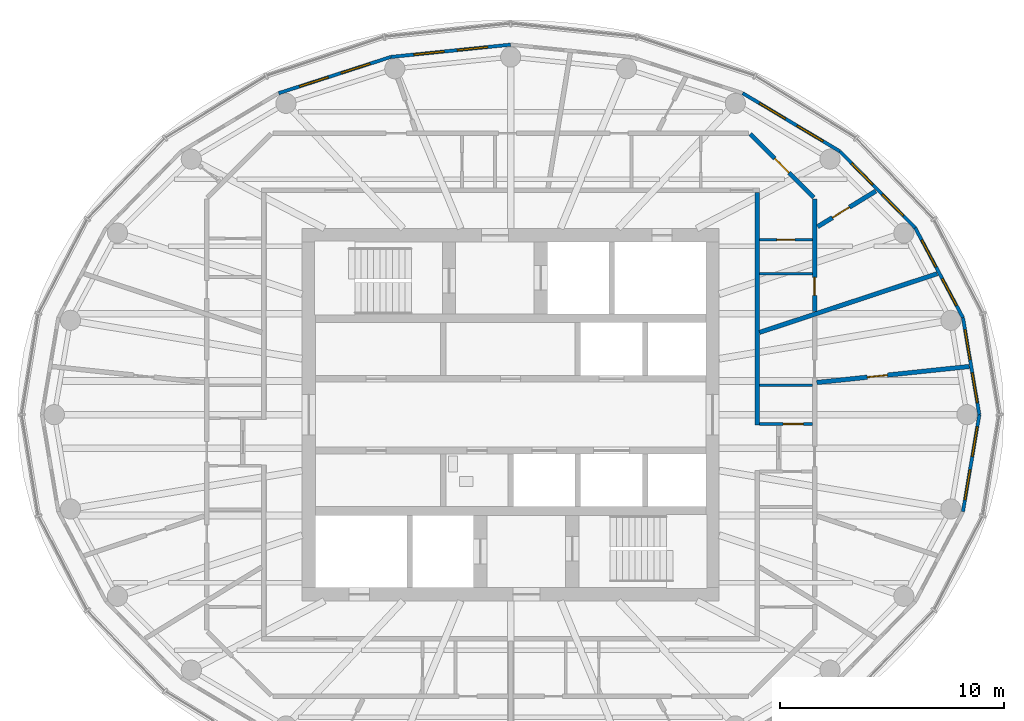
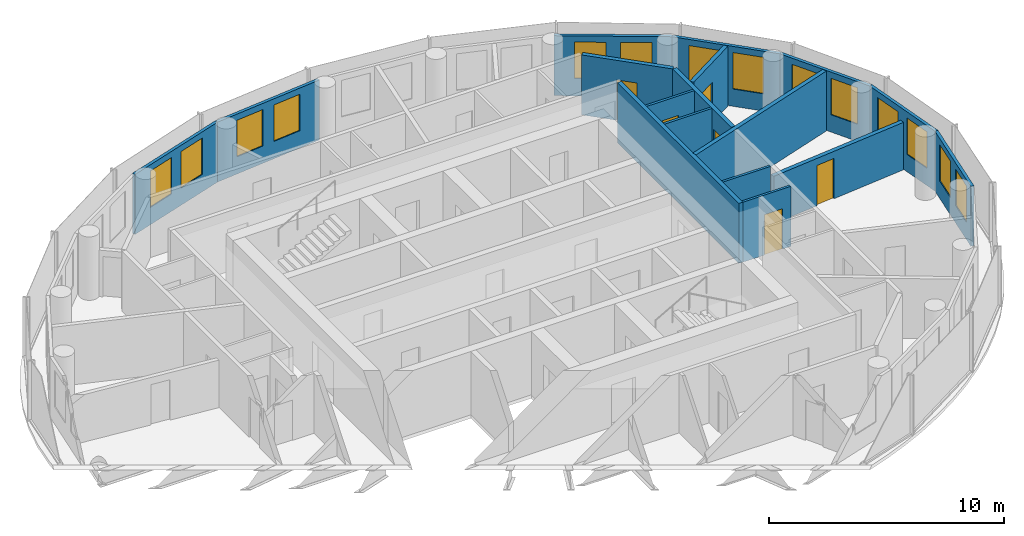
# One storey, part 9 of 12: 17 walls, 14 windows, 6 doors, 20 openings.
"""IFC4 building model written with IfcOpenShell, lengths in metres."""

from ifc_helpers import new_model, si_unit, direction, frame, frame_2d, origin, place, context, subcontext, project, spatial, rectangle, extrude, material, layer, layer_set, type_object, element, fill, save


model = new_model("IFC4")

# Units and contexts
model_context = context("Model", 3, precision=1e-05, world=origin(), true_north=direction((0.0, 1.0)))
body_context = subcontext(model_context, "Body", "Model", "MODEL_VIEW")
ifc_project = project(units=[si_unit("LENGTHUNIT", "METRE"), si_unit("AREAUNIT", "SQUARE_METRE"), si_unit("VOLUMEUNIT", "CUBIC_METRE"), si_unit("PLANEANGLEUNIT", "RADIAN"), si_unit("MASSUNIT", "GRAM", prefix="KILO")], contexts=[model_context])

# Site, building, storey
site_placement = place(None, origin())
site = spatial("IfcSite", under=ifc_project, at=site_placement, CompositionType="ELEMENT")
building_placement = place(site_placement, origin())
building = spatial("IfcBuilding", under=site, at=building_placement, Name="Hankou Lantern Tower", CompositionType="ELEMENT")
storey_placement = place(building_placement, frame((0.0, 0.0, 219.300048828125)))
storey = spatial("IfcBuildingStorey", under=building, at=storey_placement, Name="L59", CompositionType="ELEMENT", Elevation=219.300048828125)

# Wall, openings, windows
ifc_material_1 = material(Name="Aluminium spandrel panel on steel studs", Category="steel")
ifc_layer_1 = layer(ifc_material_1, 0.14990234375)
ifc_layer_set_1 = layer_set([ifc_layer_1], Name="Aluminium spandrel panel on steel studs")
wall_type_1 = type_object("IfcWallType", Name="EW1 INNER SKIN WALL 150", PredefinedType="ELEMENTEDWALL", material=ifc_layer_set_1)
wall_1_placement = place(storey_placement, frame((20.89990234375, 0.0, 0.0), z_axis=(0.0, 0.0, 1.0), x_axis=(-0.166538513568, 0.986034950445, 0.0)))
wall_1 = element("IfcWall", 1, at=wall_1_placement, inside=storey, type_object=wall_type_1, Name="Inner skin R01-R02 L59", PredefinedType="ELEMENTEDWALL", context=body_context, shape_type="SweptSolid", body=[
    extrude(rectangle(XDim=4.384765625, YDim=0.14990234375, at=frame_2d((2.1923828125, 0.0))), origin(), (0.0, 0.0, 1.0), 3.119873046875),
])
opening_1_placement = place(wall_1_placement, frame((0.54248046875, 0.0, 0.89990234375)))
opening_1 = element("IfcOpeningElement", 2, at=opening_1_placement, cuts=wall_1, Name="Opening W4", PredefinedType="OPENING", context=body_context, shape_type="SweptSolid", body=[
    extrude(rectangle(XDim=1.35009765625, YDim=1.89990234375, at=frame_2d((0.675048828125, 0.949951171875))), frame((0.0, 0.0849609375, 0.0), z_axis=(0.0, -1.0, 0.0), x_axis=(1.0, 0.0, 0.0)), (0.0, 0.0, 1.0), 0.169921875),
])
opening_2_placement = place(wall_1_placement, frame((2.492431640625, 0.0, 0.89990234375)))
opening_2 = element("IfcOpeningElement", 3, at=opening_2_placement, cuts=wall_1, Name="Opening W4", PredefinedType="OPENING", context=body_context, shape_type="SweptSolid", body=[
    extrude(rectangle(XDim=1.35009765625, YDim=1.89990234375, at=frame_2d((0.675048828125, 0.949951171875))), frame((0.0, 0.0849609375, 0.0), z_axis=(0.0, -1.0, 0.0), x_axis=(1.0, 0.0, 0.0)), (0.0, 0.0, 1.0), 0.169921875),
])
ifc_material_2 = material(Name="Aluminium framed double glazed window", Category="aluminium")
window_type = type_object("IfcWindowType", Name="W4 SUITE WINDOW 1350X1900", PartitioningType="DOUBLE_PANEL_VERTICAL", PredefinedType="WINDOW", material=ifc_material_2)
window_1_placement = place(opening_1_placement, origin())
window_1 = element("IfcWindow", 4, at=window_1_placement, inside=storey, type_object=window_type, Name="Window R01.1 L59", OverallHeight=1.89990234375, OverallWidth=1.35009765625, PartitioningType="SINGLE_PANEL", PredefinedType="WINDOW", context=body_context, shape_type="SweptSolid", body=[
    extrude(rectangle(XDim=1.35009765625, YDim=1.89990234375, at=frame_2d((0.675048828125, 0.949951171875))), frame((0.0, 0.030029296875, 0.0), z_axis=(0.0, -1.0, 0.0), x_axis=(1.0, 0.0, 0.0)), (0.0, 0.0, 1.0), 0.06005859375),
])
fill(opening_1, window_1)
window_2_placement = place(opening_2_placement, origin())
window_2 = element("IfcWindow", 5, at=window_2_placement, inside=storey, type_object=window_type, Name="Window R01.2 L59", OverallHeight=1.89990234375, OverallWidth=1.35009765625, PartitioningType="SINGLE_PANEL", PredefinedType="WINDOW", context=body_context, shape_type="SweptSolid", body=[
    extrude(rectangle(XDim=1.35009765625, YDim=1.89990234375, at=frame_2d((0.675048828125, 0.949951171875))), frame((0.0, 0.030029296875, 0.0), z_axis=(0.0, -1.0, 0.0), x_axis=(1.0, 0.0, 0.0)), (0.0, 0.0, 1.0), 0.06005859375),
])
fill(opening_2, window_2)

wall_2_placement = place(storey_placement, frame((20.169677734375, 4.323486328125, 0.0), z_axis=(0.0, 0.0, 1.0), x_axis=(-0.469256152955, 0.883062094597, 0.0)))
wall_2 = element("IfcWall", 6, at=wall_2_placement, inside=storey, type_object=wall_type_1, Name="Inner skin R02-R03 L59", PredefinedType="ELEMENTEDWALL", context=body_context, shape_type="SweptSolid", body=[
    extrude(rectangle(XDim=4.539306640625, YDim=0.14990234375, at=frame_2d((2.26953125, 0.0))), origin(), (0.0, 0.0, 1.0), 3.119873046875),
])
opening_3_placement = place(wall_2_placement, frame((0.61962890625, 0.0, 0.89990234375)))
opening_3 = element("IfcOpeningElement", 7, at=opening_3_placement, cuts=wall_2, Name="Opening W4", PredefinedType="OPENING", context=body_context, shape_type="SweptSolid", body=[
    extrude(rectangle(XDim=1.35009765625, YDim=1.89990234375, at=frame_2d((0.675048828125, 0.949951171875))), frame((0.0, 0.0849609375, 0.0), z_axis=(0.0, -1.0, 0.0), x_axis=(1.0, 0.0, 0.0)), (0.0, 0.0, 1.0), 0.169921875),
])
opening_4_placement = place(wall_2_placement, frame((2.569580078125, 0.0, 0.89990234375)))
opening_4 = element("IfcOpeningElement", 8, at=opening_4_placement, cuts=wall_2, Name="Opening W4", PredefinedType="OPENING", context=body_context, shape_type="SweptSolid", body=[
    extrude(rectangle(XDim=1.35009765625, YDim=1.89990234375, at=frame_2d((0.675048828125, 0.949951171875))), frame((0.0, 0.0849609375, 0.0), z_axis=(0.0, -1.0, 0.0), x_axis=(1.0, 0.0, 0.0)), (0.0, 0.0, 1.0), 0.169921875),
])
window_3_placement = place(opening_3_placement, origin())
window_3 = element("IfcWindow", 9, at=window_3_placement, inside=storey, type_object=window_type, Name="Window R02.1 L59", OverallHeight=1.89990234375, OverallWidth=1.35009765625, PartitioningType="SINGLE_PANEL", PredefinedType="WINDOW", context=body_context, shape_type="SweptSolid", body=[
    extrude(rectangle(XDim=1.35009765625, YDim=1.89990234375, at=frame_2d((0.675048828125, 0.949951171875))), frame((0.0, 0.030029296875, 0.0), z_axis=(0.0, -1.0, 0.0), x_axis=(1.0, 0.0, 0.0)), (0.0, 0.0, 1.0), 0.06005859375),
])
fill(opening_3, window_3)
window_4_placement = place(opening_4_placement, origin())
window_4 = element("IfcWindow", 10, at=window_4_placement, inside=storey, type_object=window_type, Name="Window R02.2 L59", OverallHeight=1.89990234375, OverallWidth=1.35009765625, PartitioningType="SINGLE_PANEL", PredefinedType="WINDOW", context=body_context, shape_type="SweptSolid", body=[
    extrude(rectangle(XDim=1.35009765625, YDim=1.89990234375, at=frame_2d((0.675048828125, 0.949951171875))), frame((0.0, 0.030029296875, 0.0), z_axis=(0.0, -1.0, 0.0), x_axis=(1.0, 0.0, 0.0)), (0.0, 0.0, 1.0), 0.06005859375),
])
fill(opening_4, window_4)

wall_3_placement = place(storey_placement, frame((18.03955078125, 8.33203125, 0.0), z_axis=(0.0, 0.0, 1.0), x_axis=(-0.701527379618, 0.712642501993, 0.0)))
wall_3 = element("IfcWall", 11, at=wall_3_placement, inside=storey, type_object=wall_type_1, Name="Inner skin R03-R04 L59", PredefinedType="ELEMENTEDWALL", context=body_context, shape_type="SweptSolid", body=[
    extrude(rectangle(XDim=4.788330078125, YDim=0.14990234375, at=frame_2d((2.39404296875, 0.0))), origin(), (0.0, 0.0, 1.0), 3.119873046875),
])
opening_5_placement = place(wall_3_placement, frame((0.744140625, 0.0, 0.89990234375)))
opening_5 = element("IfcOpeningElement", 12, at=opening_5_placement, cuts=wall_3, Name="Opening W4", PredefinedType="OPENING", context=body_context, shape_type="SweptSolid", body=[
    extrude(rectangle(XDim=1.35009765625, YDim=1.89990234375, at=frame_2d((0.675048828125, 0.949951171875))), frame((0.0, 0.0849609375, 0.0), z_axis=(0.0, -1.0, 0.0), x_axis=(1.0, 0.0, 0.0)), (0.0, 0.0, 1.0), 0.169921875),
])
opening_6_placement = place(wall_3_placement, frame((2.694091796875, 0.0, 0.89990234375)))
opening_6 = element("IfcOpeningElement", 13, at=opening_6_placement, cuts=wall_3, Name="Opening W4", PredefinedType="OPENING", context=body_context, shape_type="SweptSolid", body=[
    extrude(rectangle(XDim=1.35009765625, YDim=1.89990234375, at=frame_2d((0.675048828125, 0.949951171875))), frame((0.0, 0.0849609375, 0.0), z_axis=(0.0, -1.0, 0.0), x_axis=(1.0, 0.0, 0.0)), (0.0, 0.0, 1.0), 0.169921875),
])
window_5_placement = place(opening_5_placement, origin())
window_5 = element("IfcWindow", 14, at=window_5_placement, inside=storey, type_object=window_type, Name="Window R03.1 L59", OverallHeight=1.89990234375, OverallWidth=1.35009765625, PartitioningType="SINGLE_PANEL", PredefinedType="WINDOW", context=body_context, shape_type="SweptSolid", body=[
    extrude(rectangle(XDim=1.35009765625, YDim=1.89990234375, at=frame_2d((0.675048828125, 0.949951171875))), frame((0.0, 0.030029296875, 0.0), z_axis=(0.0, -1.0, 0.0), x_axis=(1.0, 0.0, 0.0)), (0.0, 0.0, 1.0), 0.06005859375),
])
fill(opening_5, window_5)
window_6_placement = place(opening_6_placement, origin())
window_6 = element("IfcWindow", 15, at=window_6_placement, inside=storey, type_object=window_type, Name="Window R03.2 L59", OverallHeight=1.89990234375, OverallWidth=1.35009765625, PartitioningType="SINGLE_PANEL", PredefinedType="WINDOW", context=body_context, shape_type="SweptSolid", body=[
    extrude(rectangle(XDim=1.35009765625, YDim=1.89990234375, at=frame_2d((0.675048828125, 0.949951171875))), frame((0.0, 0.030029296875, 0.0), z_axis=(0.0, -1.0, 0.0), x_axis=(1.0, 0.0, 0.0)), (0.0, 0.0, 1.0), 0.06005859375),
])
fill(opening_6, window_6)

wall_4_placement = place(storey_placement, frame((14.680419921875, 11.744384765625, 0.0), z_axis=(0.0, 0.0, 1.0), x_axis=(-0.85822150553, 0.513279502265, 0.0)))
wall_4 = element("IfcWall", 16, at=wall_4_placement, inside=storey, type_object=wall_type_1, Name="Inner skin R04-R05 L59", PredefinedType="ELEMENTEDWALL", context=body_context, shape_type="SweptSolid", body=[
    extrude(rectangle(XDim=5.050048828125, YDim=0.14990234375, at=frame_2d((2.52490234375, 0.0))), origin(), (0.0, 0.0, 1.0), 3.119873046875),
])
opening_7_placement = place(wall_4_placement, frame((0.875, 0.0, 0.89990234375)))
opening_7 = element("IfcOpeningElement", 17, at=opening_7_placement, cuts=wall_4, Name="Opening W4", PredefinedType="OPENING", context=body_context, shape_type="SweptSolid", body=[
    extrude(rectangle(XDim=1.35009765625, YDim=1.89990234375, at=frame_2d((0.675048828125, 0.949951171875))), frame((0.0, 0.0849609375, 0.0), z_axis=(0.0, -1.0, 0.0), x_axis=(1.0, 0.0, 0.0)), (0.0, 0.0, 1.0), 0.169921875),
])
opening_8_placement = place(wall_4_placement, frame((2.824951171875, 0.0, 0.89990234375)))
opening_8 = element("IfcOpeningElement", 18, at=opening_8_placement, cuts=wall_4, Name="Opening W4", PredefinedType="OPENING", context=body_context, shape_type="SweptSolid", body=[
    extrude(rectangle(XDim=1.35009765625, YDim=1.89990234375, at=frame_2d((0.675048828125, 0.949951171875))), frame((0.0, 0.0849609375, 0.0), z_axis=(0.0, -1.0, 0.0), x_axis=(1.0, 0.0, 0.0)), (0.0, 0.0, 1.0), 0.169921875),
])
window_7_placement = place(opening_7_placement, origin())
window_7 = element("IfcWindow", 19, at=window_7_placement, inside=storey, type_object=window_type, Name="Window R04.1 L59", OverallHeight=1.89990234375, OverallWidth=1.35009765625, PartitioningType="SINGLE_PANEL", PredefinedType="WINDOW", context=body_context, shape_type="SweptSolid", body=[
    extrude(rectangle(XDim=1.35009765625, YDim=1.89990234375, at=frame_2d((0.675048828125, 0.949951171875))), frame((0.0, 0.030029296875, 0.0), z_axis=(0.0, -1.0, 0.0), x_axis=(1.0, 0.0, 0.0)), (0.0, 0.0, 1.0), 0.06005859375),
])
fill(opening_7, window_7)
window_8_placement = place(opening_8_placement, origin())
window_8 = element("IfcWindow", 20, at=window_8_placement, inside=storey, type_object=window_type, Name="Window R04.2 L59", OverallHeight=1.89990234375, OverallWidth=1.35009765625, PartitioningType="SINGLE_PANEL", PredefinedType="WINDOW", context=body_context, shape_type="SweptSolid", body=[
    extrude(rectangle(XDim=1.35009765625, YDim=1.89990234375, at=frame_2d((0.675048828125, 0.949951171875))), frame((0.0, 0.030029296875, 0.0), z_axis=(0.0, -1.0, 0.0), x_axis=(1.0, 0.0, 0.0)), (0.0, 0.0, 1.0), 0.06005859375),
])
fill(opening_8, window_8)

wall_5_placement = place(storey_placement, frame((0.0, 16.5, 0.0), z_axis=(0.0, 0.0, 1.0), x_axis=(-0.994774574972, -0.102095763818, 0.0)))
wall_5 = element("IfcWall", 21, at=wall_5_placement, inside=storey, type_object=wall_type_1, Name="Inner skin R07-R08 L59", PredefinedType="ELEMENTEDWALL", context=body_context, shape_type="SweptSolid", body=[
    extrude(rectangle(XDim=5.370849609375, YDim=0.14990234375, at=frame_2d((2.685546875, 0.0))), origin(), (0.0, 0.0, 1.0), 3.119873046875),
])
opening_9_placement = place(wall_5_placement, frame((1.035400390625, 0.0, 0.89990234375)))
opening_9 = element("IfcOpeningElement", 22, at=opening_9_placement, cuts=wall_5, Name="Opening W4", PredefinedType="OPENING", context=body_context, shape_type="SweptSolid", body=[
    extrude(rectangle(XDim=1.35009765625, YDim=1.89990234375, at=frame_2d((0.675048828125, 0.949951171875))), frame((0.0, 0.0849609375, 0.0), z_axis=(0.0, -1.0, 0.0), x_axis=(1.0, 0.0, 0.0)), (0.0, 0.0, 1.0), 0.169921875),
])
opening_10_placement = place(wall_5_placement, frame((2.9853515625, 0.0, 0.89990234375)))
opening_10 = element("IfcOpeningElement", 23, at=opening_10_placement, cuts=wall_5, Name="Opening W4", PredefinedType="OPENING", context=body_context, shape_type="SweptSolid", body=[
    extrude(rectangle(XDim=1.35009765625, YDim=1.89990234375, at=frame_2d((0.675048828125, 0.949951171875))), frame((0.0, 0.0849609375, 0.0), z_axis=(0.0, -1.0, 0.0), x_axis=(1.0, 0.0, 0.0)), (0.0, 0.0, 1.0), 0.169921875),
])
window_9_placement = place(opening_9_placement, origin())
window_9 = element("IfcWindow", 24, at=window_9_placement, inside=storey, type_object=window_type, Name="Window R07.1 L59", OverallHeight=1.89990234375, OverallWidth=1.35009765625, PartitioningType="SINGLE_PANEL", PredefinedType="WINDOW", context=body_context, shape_type="SweptSolid", body=[
    extrude(rectangle(XDim=1.35009765625, YDim=1.89990234375, at=frame_2d((0.675048828125, 0.949951171875))), frame((0.0, 0.030029296875, 0.0), z_axis=(0.0, -1.0, 0.0), x_axis=(1.0, 0.0, 0.0)), (0.0, 0.0, 1.0), 0.06005859375),
])
fill(opening_9, window_9)
window_10_placement = place(opening_10_placement, origin())
window_10 = element("IfcWindow", 25, at=window_10_placement, inside=storey, type_object=window_type, Name="Window R07.2 L59", OverallHeight=1.89990234375, OverallWidth=1.35009765625, PartitioningType="SINGLE_PANEL", PredefinedType="WINDOW", context=body_context, shape_type="SweptSolid", body=[
    extrude(rectangle(XDim=1.35009765625, YDim=1.89990234375, at=frame_2d((0.675048828125, 0.949951171875))), frame((0.0, 0.030029296875, 0.0), z_axis=(0.0, -1.0, 0.0), x_axis=(1.0, 0.0, 0.0)), (0.0, 0.0, 1.0), 0.06005859375),
])
fill(opening_10, window_10)

wall_6_placement = place(storey_placement, frame((-5.3427734375, 15.95166015625, 0.0), z_axis=(0.0, 0.0, 1.0), x_axis=(-0.951644702515, -0.307200846638, 0.0)))
wall_6 = element("IfcWall", 26, at=wall_6_placement, inside=storey, type_object=wall_type_1, Name="Inner skin R08-R09 L59", PredefinedType="ELEMENTEDWALL", context=body_context, shape_type="SweptSolid", body=[
    extrude(rectangle(XDim=5.2578125, YDim=0.14990234375, at=frame_2d((2.62890625, 0.0))), origin(), (0.0, 0.0, 1.0), 3.119873046875),
])
opening_11_placement = place(wall_6_placement, frame((0.97900390625, 0.0, 0.89990234375)))
opening_11 = element("IfcOpeningElement", 27, at=opening_11_placement, cuts=wall_6, Name="Opening W4", PredefinedType="OPENING", context=body_context, shape_type="SweptSolid", body=[
    extrude(rectangle(XDim=1.35009765625, YDim=1.89990234375, at=frame_2d((0.675048828125, 0.949951171875))), frame((0.0, 0.0849609375, 0.0), z_axis=(0.0, -1.0, 0.0), x_axis=(1.0, 0.0, 0.0)), (0.0, 0.0, 1.0), 0.169921875),
])
opening_12_placement = place(wall_6_placement, frame((2.928955078125, 0.0, 0.89990234375)))
opening_12 = element("IfcOpeningElement", 28, at=opening_12_placement, cuts=wall_6, Name="Opening W4", PredefinedType="OPENING", context=body_context, shape_type="SweptSolid", body=[
    extrude(rectangle(XDim=1.35009765625, YDim=1.89990234375, at=frame_2d((0.675048828125, 0.949951171875))), frame((0.0, 0.0849609375, 0.0), z_axis=(0.0, -1.0, 0.0), x_axis=(1.0, 0.0, 0.0)), (0.0, 0.0, 1.0), 0.169921875),
])
window_11_placement = place(opening_11_placement, origin())
window_11 = element("IfcWindow", 29, at=window_11_placement, inside=storey, type_object=window_type, Name="Window R08.1 L59", OverallHeight=1.89990234375, OverallWidth=1.35009765625, PartitioningType="SINGLE_PANEL", PredefinedType="WINDOW", context=body_context, shape_type="SweptSolid", body=[
    extrude(rectangle(XDim=1.35009765625, YDim=1.89990234375, at=frame_2d((0.675048828125, 0.949951171875))), frame((0.0, 0.030029296875, 0.0), z_axis=(0.0, -1.0, 0.0), x_axis=(1.0, 0.0, 0.0)), (0.0, 0.0, 1.0), 0.06005859375),
])
fill(opening_11, window_11)
window_12_placement = place(opening_12_placement, origin())
window_12 = element("IfcWindow", 30, at=window_12_placement, inside=storey, type_object=window_type, Name="Window R08.2 L59", OverallHeight=1.89990234375, OverallWidth=1.35009765625, PartitioningType="SINGLE_PANEL", PredefinedType="WINDOW", context=body_context, shape_type="SweptSolid", body=[
    extrude(rectangle(XDim=1.35009765625, YDim=1.89990234375, at=frame_2d((0.675048828125, 0.949951171875))), frame((0.0, 0.030029296875, 0.0), z_axis=(0.0, -1.0, 0.0), x_axis=(1.0, 0.0, 0.0)), (0.0, 0.0, 1.0), 0.06005859375),
])
fill(opening_12, window_12)

wall_7_placement = place(storey_placement, frame((20.169677734375, -4.323486328125, 0.0), z_axis=(0.0, 0.0, 1.0), x_axis=(0.166538513568, 0.986034950445, 0.0)))
wall_7 = element("IfcWall", 31, at=wall_7_placement, inside=storey, type_object=wall_type_1, Name="Inner skin R24-R01 L59", PredefinedType="ELEMENTEDWALL", context=body_context, shape_type="SweptSolid", body=[
    extrude(rectangle(XDim=4.384765625, YDim=0.14990234375, at=frame_2d((2.1923828125, 0.0))), origin(), (0.0, 0.0, 1.0), 3.119873046875),
])
opening_13_placement = place(wall_7_placement, frame((0.54248046875, 0.0, 0.89990234375)))
opening_13 = element("IfcOpeningElement", 32, at=opening_13_placement, cuts=wall_7, Name="Opening W4", PredefinedType="OPENING", context=body_context, shape_type="SweptSolid", body=[
    extrude(rectangle(XDim=1.35009765625, YDim=1.89990234375, at=frame_2d((0.675048828125, 0.949951171875))), frame((0.0, 0.0849609375, 0.0), z_axis=(0.0, -1.0, 0.0), x_axis=(1.0, 0.0, 0.0)), (0.0, 0.0, 1.0), 0.169921875),
])
opening_14_placement = place(wall_7_placement, frame((2.492431640625, 0.0, 0.89990234375)))
opening_14 = element("IfcOpeningElement", 33, at=opening_14_placement, cuts=wall_7, Name="Opening W4", PredefinedType="OPENING", context=body_context, shape_type="SweptSolid", body=[
    extrude(rectangle(XDim=1.35009765625, YDim=1.89990234375, at=frame_2d((0.675048828125, 0.949951171875))), frame((0.0, 0.0849609375, 0.0), z_axis=(0.0, -1.0, 0.0), x_axis=(1.0, 0.0, 0.0)), (0.0, 0.0, 1.0), 0.169921875),
])
window_13_placement = place(opening_13_placement, origin())
window_13 = element("IfcWindow", 34, at=window_13_placement, inside=storey, type_object=window_type, Name="Window R24.1 L59", OverallHeight=1.89990234375, OverallWidth=1.35009765625, PartitioningType="SINGLE_PANEL", PredefinedType="WINDOW", context=body_context, shape_type="SweptSolid", body=[
    extrude(rectangle(XDim=1.35009765625, YDim=1.89990234375, at=frame_2d((0.675048828125, 0.949951171875))), frame((0.0, 0.030029296875, 0.0), z_axis=(0.0, -1.0, 0.0), x_axis=(1.0, 0.0, 0.0)), (0.0, 0.0, 1.0), 0.06005859375),
])
fill(opening_13, window_13)
window_14_placement = place(opening_14_placement, origin())
window_14 = element("IfcWindow", 35, at=window_14_placement, inside=storey, type_object=window_type, Name="Window R24.2 L59", OverallHeight=1.89990234375, OverallWidth=1.35009765625, PartitioningType="SINGLE_PANEL", PredefinedType="WINDOW", context=body_context, shape_type="SweptSolid", body=[
    extrude(rectangle(XDim=1.35009765625, YDim=1.89990234375, at=frame_2d((0.675048828125, 0.949951171875))), frame((0.0, 0.030029296875, 0.0), z_axis=(0.0, -1.0, 0.0), x_axis=(1.0, 0.0, 0.0)), (0.0, 0.0, 1.0), 0.06005859375),
])
fill(opening_14, window_14)

# Walls
ifc_material_3 = material(Name="Masonry lightweight concrete block", Category="masonry")
ifc_layer_2 = layer(ifc_material_3, 0.199951171875)
ifc_layer_set_2 = layer_set([ifc_layer_2], Name="Masonry lightweight concrete block")
wall_type_2 = type_object("IfcWallType", Name="IW1 GUEST ROOM PARTY WALL 200", PredefinedType="PARTITIONING", material=ifc_layer_set_2)
wall_8_placement = place(storey_placement, frame((11.10009765625, 3.668701171875, 0.0), z_axis=(0.0, 0.0, 1.0), x_axis=(0.949476668397, 0.313837627079, 0.0)))
element("IfcWall", 36, at=wall_8_placement, inside=storey, type_object=wall_type_2, Name="Party wall R02-R03", PredefinedType="PARTITIONING", context=body_context, shape_type="SweptSolid", body=[
    extrude(rectangle(XDim=8.338623046875, YDim=0.199951171875, at=frame_2d((4.16943359375, 0.0))), origin(), (0.0, 0.0, 1.0), 3.119873046875),
])
ifc_material_4 = material(Name="Masonry lightweight concrete block", Category="masonry")
ifc_layer_3 = layer(ifc_material_4, 0.199951171875)
ifc_layer_set_3 = layer_set([ifc_layer_3], Name="Masonry lightweight concrete block")
wall_type_3 = type_object("IfcWallType", Name="IW2 CORRIDOR WALL 200", PredefinedType="PARTITIONING", material=ifc_layer_set_3)
wall_9_placement = place(storey_placement, frame((11.0, -0.46435546875, 0.0), z_axis=(0.0, 0.0, 1.0), x_axis=(0.0, 1.0, 0.0)))
element("IfcWall", 37, at=wall_9_placement, inside=storey, type_object=wall_type_3, Name="Corridor wall east", PredefinedType="PARTITIONING", context=body_context, shape_type="SweptSolid", body=[
    extrude(rectangle(XDim=10.3642578125, YDim=0.199951171875, at=frame_2d((5.18212890625, 0.0))), origin(), (0.0, 0.0, 1.0), 3.119873046875),
])
ifc_material_5 = material(Name="Masonry lightweight concrete block", Category="masonry")
ifc_layer_4 = layer(ifc_material_5, 0.1201171875)
ifc_layer_set_4 = layer_set([ifc_layer_4], Name="Masonry lightweight concrete block")
wall_type_4 = type_object("IfcWallType", Name="IW3 BATHROOM WALL 120", PredefinedType="PARTITIONING", material=ifc_layer_set_4)
wall_10_placement = place(storey_placement, frame((11.10009765625, 6.28369140625, 0.0), z_axis=(0.0, 0.0, 1.0), x_axis=(1.0, 0.0, 0.0)))
element("IfcWall", 38, at=wall_10_placement, inside=storey, type_object=wall_type_4, Name="Box wall 5901 1", PredefinedType="PARTITIONING", context=body_context, shape_type="SweptSolid", body=[
    extrude(rectangle(XDim=2.349853515625, YDim=0.1201171875, at=frame_2d((1.1748046875, 0.0))), origin(), (0.0, 0.0, 1.0), 3.119873046875),
])

# Wall, opening, door
wall_11_placement = place(storey_placement, frame((11.10009765625, 7.80517578125, 0.0), z_axis=(0.0, 0.0, 1.0), x_axis=(1.0, 0.0, 0.0)))
wall_11 = element("IfcWall", 39, at=wall_11_placement, inside=storey, type_object=wall_type_4, Name="Box wall 5901 2", PredefinedType="PARTITIONING", context=body_context, shape_type="SweptSolid", body=[
    extrude(rectangle(XDim=2.349853515625, YDim=0.1201171875, at=frame_2d((1.1748046875, 0.0))), origin(), (0.0, 0.0, 1.0), 3.119873046875),
])
opening_15_placement = place(wall_11_placement, frame((0.77001953125, 0.0, 0.0)))
opening_15 = element("IfcOpeningElement", 40, at=opening_15_placement, cuts=wall_11, Name="Opening D3", PredefinedType="OPENING", context=body_context, shape_type="SweptSolid", body=[
    extrude(rectangle(XDim=0.800048828125, YDim=2.10009765625, at=frame_2d((0.39990234375, 1.050048828125))), frame((0.0, 0.070068359375, 0.0), z_axis=(0.0, -1.0, 0.0), x_axis=(1.0, 0.0, 0.0)), (0.0, 0.0, 1.0), 0.14013671875),
])
ifc_material_6 = material(Name="Timber door leaf", Category="wood")
door_type_1 = type_object("IfcDoorType", Name="D3 BATHROOM DOOR 800X2100", OperationType="SINGLE_SWING_LEFT", PredefinedType="DOOR", material=ifc_material_6)
door_1_placement = place(opening_15_placement, origin())
door_1 = element("IfcDoor", 41, at=door_1_placement, inside=storey, type_object=door_type_1, Name="Family suite 5901 guest WC door", OperationType="SINGLE_SWING_LEFT", OverallHeight=2.10009765625, OverallWidth=0.800048828125, PredefinedType="DOOR", context=body_context, shape_type="SweptSolid", body=[
    extrude(rectangle(XDim=0.800048828125, YDim=2.10009765625, at=frame_2d((0.39990234375, 1.050048828125))), frame((0.0, 0.02490234375, 0.0), z_axis=(0.0, -1.0, 0.0), x_axis=(1.0, 0.0, 0.0)), (0.0, 0.0, 1.0), 0.050048828125),
])
fill(opening_15, door_1)

wall_12_placement = place(storey_placement, frame((11.10009765625, -0.414306640625, 0.0), z_axis=(0.0, 0.0, 1.0), x_axis=(1.0, 0.0, 0.0)))
wall_12 = element("IfcWall", 42, at=wall_12_placement, inside=storey, type_object=wall_type_4, Name="Box wall 5906 3", PredefinedType="PARTITIONING", context=body_context, shape_type="SweptSolid", body=[
    extrude(rectangle(XDim=2.349853515625, YDim=0.1201171875, at=frame_2d((1.1748046875, 0.0))), origin(), (0.0, 0.0, 1.0), 3.119873046875),
])
opening_16_placement = place(wall_12_placement, frame((1.050048828125, 0.0, 0.0)))
opening_16 = element("IfcOpeningElement", 43, at=opening_16_placement, cuts=wall_12, Name="Opening D27", PredefinedType="OPENING", context=body_context, shape_type="SweptSolid", body=[
    extrude(rectangle(XDim=0.89990234375, YDim=2.10009765625, at=frame_2d((0.449951171875, 1.050048828125))), frame((0.0, 0.070068359375, 0.0), z_axis=(0.0, -1.0, 0.0), x_axis=(1.0, 0.0, 0.0)), (0.0, 0.0, 1.0), 0.14013671875),
])
ifc_material_7 = material(Name="Timber door leaf", Category="wood")
door_type_2 = type_object("IfcDoorType", Name="D27 INTERNAL DOOR 900X2100", OperationType="SINGLE_SWING_LEFT", PredefinedType="DOOR", material=ifc_material_7)
door_2_placement = place(opening_16_placement, origin())
door_2 = element("IfcDoor", 44, at=door_2_placement, inside=storey, type_object=door_type_2, Name="Family suite 5906 walk-in wardrobe door", OperationType="SINGLE_SWING_RIGHT", OverallHeight=2.10009765625, OverallWidth=0.89990234375, PredefinedType="DOOR", context=body_context, shape_type="SweptSolid", body=[
    extrude(rectangle(XDim=0.89990234375, YDim=2.10009765625, at=frame_2d((0.449951171875, 1.050048828125))), frame((0.0, 0.02490234375, 0.0), z_axis=(0.0, -1.0, 0.0), x_axis=(1.0, 0.0, 0.0)), (0.0, 0.0, 1.0), 0.050048828125),
])
fill(opening_16, door_2)

# Wall
wall_13_placement = place(storey_placement, frame((11.10009765625, 1.3056640625, 0.0), z_axis=(0.0, 0.0, 1.0), x_axis=(1.0, 0.0, 0.0)))
element("IfcWall", 45, at=wall_13_placement, inside=storey, type_object=wall_type_4, Name="Box wall 5906 4", PredefinedType="PARTITIONING", context=body_context, shape_type="SweptSolid", body=[
    extrude(rectangle(XDim=2.349853515625, YDim=0.1201171875, at=frame_2d((1.1748046875, 0.0))), origin(), (0.0, 0.0, 1.0), 3.119873046875),
])

# Wall, opening, door
ifc_material_8 = material(Name="Masonry lightweight concrete block", Category="masonry")
ifc_layer_5 = layer(ifc_material_8, 0.199951171875)
ifc_layer_set_5 = layer_set([ifc_layer_5], Name="Masonry lightweight concrete block")
wall_type_5 = type_object("IfcWallType", Name="IW6 SUITE PARTITION 200", PredefinedType="PARTITIONING", material=ifc_layer_set_5)
wall_14_placement = place(storey_placement, frame((13.550048828125, 4.599853515625, 0.0), z_axis=(0.0, 0.0, 1.0), x_axis=(0.0, 1.0, 0.0)))
wall_14 = element("IfcWall", 46, at=wall_14_placement, inside=storey, type_object=wall_type_5, Name="Suite foyer wall 5901", PredefinedType="PARTITIONING", context=body_context, shape_type="SweptSolid", body=[
    extrude(rectangle(XDim=5.0087890625, YDim=0.199951171875, at=frame_2d((2.50439453125, 0.0))), origin(), (0.0, 0.0, 1.0), 3.119873046875),
])
opening_17_placement = place(wall_14_placement, frame((0.7236328125, 0.0, 0.0)))
opening_17 = element("IfcOpeningElement", 47, at=opening_17_placement, cuts=wall_14, Name="Opening D3", PredefinedType="OPENING", context=body_context, shape_type="SweptSolid", body=[
    extrude(rectangle(XDim=0.800048828125, YDim=2.10009765625, at=frame_2d((0.39990234375, 1.050048828125))), frame((0.0, 0.10986328125, 0.0), z_axis=(0.0, -1.0, 0.0), x_axis=(1.0, 0.0, 0.0)), (0.0, 0.0, 1.0), 0.219970703125),
])
door_3_placement = place(opening_17_placement, origin())
door_3 = element("IfcDoor", 48, at=door_3_placement, inside=storey, type_object=door_type_1, Name="Family suite 5901 bathroom door", OperationType="SINGLE_SWING_RIGHT", OverallHeight=2.10009765625, OverallWidth=0.800048828125, PredefinedType="DOOR", context=body_context, shape_type="SweptSolid", body=[
    extrude(rectangle(XDim=0.800048828125, YDim=2.10009765625, at=frame_2d((0.39990234375, 1.050048828125))), frame((0.0, 0.02490234375, 0.0), z_axis=(0.0, -1.0, 0.0), x_axis=(1.0, 0.0, 0.0)), (0.0, 0.0, 1.0), 0.050048828125),
])
fill(opening_17, door_3)

wall_15_placement = place(storey_placement, frame((13.520751953125, 9.67919921875, 0.0), z_axis=(0.0, 0.0, 1.0), x_axis=(-0.707106781187, 0.707106781187, 0.0)))
wall_15 = element("IfcWall", 49, at=wall_15_placement, inside=storey, type_object=wall_type_5, Name="Suite foyer wall 5901", PredefinedType="PARTITIONING", context=body_context, shape_type="SweptSolid", body=[
    extrude(rectangle(XDim=4.0185546875, YDim=0.199951171875, at=frame_2d((2.00927734375, 0.0))), origin(), (0.0, 0.0, 1.0), 3.119873046875),
])
opening_18_placement = place(wall_15_placement, frame((1.570068359375, 0.0, 0.0)))
opening_18 = element("IfcOpeningElement", 50, at=opening_18_placement, cuts=wall_15, Name="Opening D27", PredefinedType="OPENING", context=body_context, shape_type="SweptSolid", body=[
    extrude(rectangle(XDim=0.89990234375, YDim=2.10009765625, at=frame_2d((0.449951171875, 1.050048828125))), frame((0.0, 0.10986328125, 0.0), z_axis=(0.0, -1.0, 0.0), x_axis=(1.0, 0.0, 0.0)), (0.0, 0.0, 1.0), 0.219970703125),
])
door_4_placement = place(opening_18_placement, origin())
door_4 = element("IfcDoor", 51, at=door_4_placement, inside=storey, type_object=door_type_2, Name="Family suite 5901 living room door", OperationType="SINGLE_SWING_RIGHT", OverallHeight=2.10009765625, OverallWidth=0.89990234375, PredefinedType="DOOR", context=body_context, shape_type="SweptSolid", body=[
    extrude(rectangle(XDim=0.89990234375, YDim=2.10009765625, at=frame_2d((0.449951171875, 1.050048828125))), frame((0.0, 0.02490234375, 0.0), z_axis=(0.0, -1.0, 0.0), x_axis=(1.0, 0.0, 0.0)), (0.0, 0.0, 1.0), 0.050048828125),
])
fill(opening_18, door_4)

wall_16_placement = place(storey_placement, frame((13.6884765625, 8.38232421875, 0.0), z_axis=(0.0, 0.0, 1.0), x_axis=(0.852783459586, 0.522264656144, 0.0)))
wall_16 = element("IfcWall", 52, at=wall_16_placement, inside=storey, type_object=wall_type_5, Name="Suite partition R03-R04", PredefinedType="PARTITIONING", context=body_context, shape_type="SweptSolid", body=[
    extrude(rectangle(XDim=3.041748046875, YDim=0.199951171875, at=frame_2d((1.52099609375, 0.0))), origin(), (0.0, 0.0, 1.0), 3.119873046875),
])
opening_19_placement = place(wall_16_placement, frame((0.77001953125, 0.0, 0.0)))
opening_19 = element("IfcOpeningElement", 53, at=opening_19_placement, cuts=wall_16, Name="Opening D27", PredefinedType="OPENING", context=body_context, shape_type="SweptSolid", body=[
    extrude(rectangle(XDim=0.89990234375, YDim=2.10009765625, at=frame_2d((0.449951171875, 1.050048828125))), frame((0.0, 0.10986328125, 0.0), z_axis=(0.0, -1.0, 0.0), x_axis=(1.0, 0.0, 0.0)), (0.0, 0.0, 1.0), 0.219970703125),
])
door_5_placement = place(opening_19_placement, origin())
door_5 = element("IfcDoor", 54, at=door_5_placement, inside=storey, type_object=door_type_2, Name="Family suite 5901 bedroom door", OperationType="SINGLE_SWING_LEFT", OverallHeight=2.10009765625, OverallWidth=0.89990234375, PredefinedType="DOOR", context=body_context, shape_type="SweptSolid", body=[
    extrude(rectangle(XDim=0.89990234375, YDim=2.10009765625, at=frame_2d((0.449951171875, 1.050048828125))), frame((0.0, 0.02490234375, 0.0), z_axis=(0.0, -1.0, 0.0), x_axis=(1.0, 0.0, 0.0)), (0.0, 0.0, 1.0), 0.050048828125),
])
fill(opening_19, door_5)

wall_17_placement = place(storey_placement, frame((13.64990234375, 1.433837890625, 0.0), z_axis=(0.0, 0.0, 1.0), x_axis=(0.994526954268, 0.10448031984, 0.0)))
wall_17 = element("IfcWall", 55, at=wall_17_placement, inside=storey, type_object=wall_type_5, Name="Suite partition R01-R02", PredefinedType="PARTITIONING", context=body_context, shape_type="SweptSolid", body=[
    extrude(rectangle(XDim=6.837158203125, YDim=0.199951171875, at=frame_2d((3.41845703125, 0.0))), origin(), (0.0, 0.0, 1.0), 2.469970703125),
])
opening_20_placement = place(wall_17_placement, frame((2.27001953125, 0.0, 0.0)))
opening_20 = element("IfcOpeningElement", 56, at=opening_20_placement, cuts=wall_17, Name="Opening D27", PredefinedType="OPENING", context=body_context, shape_type="SweptSolid", body=[
    extrude(rectangle(XDim=0.89990234375, YDim=2.10009765625, at=frame_2d((0.449951171875, 1.050048828125))), frame((0.0, 0.10986328125, 0.0), z_axis=(0.0, -1.0, 0.0), x_axis=(1.0, 0.0, 0.0)), (0.0, 0.0, 1.0), 0.219970703125),
])
door_6_placement = place(opening_20_placement, origin())
door_6 = element("IfcDoor", 57, at=door_6_placement, inside=storey, type_object=door_type_2, Name="Family suite 5906 second bedroom door", OperationType="SINGLE_SWING_LEFT", OverallHeight=2.10009765625, OverallWidth=0.89990234375, PredefinedType="DOOR", context=body_context, shape_type="SweptSolid", body=[
    extrude(rectangle(XDim=0.89990234375, YDim=2.10009765625, at=frame_2d((0.449951171875, 1.050048828125))), frame((0.0, 0.02490234375, 0.0), z_axis=(0.0, -1.0, 0.0), x_axis=(1.0, 0.0, 0.0)), (0.0, 0.0, 1.0), 0.050048828125),
])
fill(opening_20, door_6)

save(model, "model.ifc")
